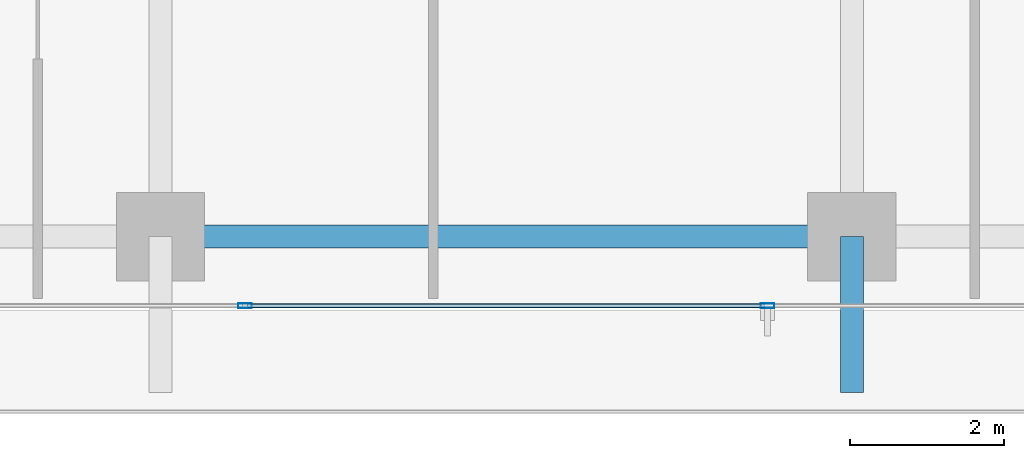
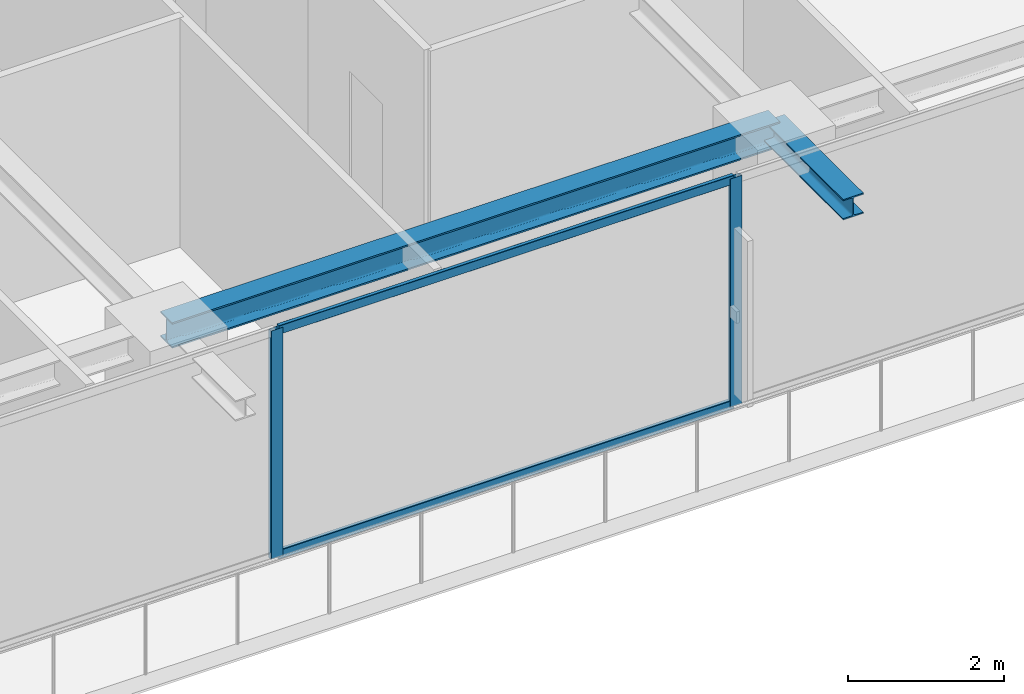
# One storey, part 5 of 38: 4 members, 2 beams, 1 element without a shape of its own.
"""IFC4 building model written with IfcOpenShell, lengths in metres."""

from ifc_helpers import new_model, si_unit, direction, frame, origin, origin_2d, place, context, subcontext, project, spatial, hollow_rectangle, i_section, extrude, source, transform, mapped, material, layer, layer_set, material_profile, profile_set, type_object, element, aggregate, save


model = new_model("IFC4")

# Units and contexts
model_context = context("Model", 3, precision=1e-05, world=origin(), true_north=direction((0.0, 1.0)))
body_context = subcontext(model_context, "Body", "Model", "MODEL_VIEW")
ifc_project = project(units=[si_unit("LENGTHUNIT", "METRE"), si_unit("AREAUNIT", "SQUARE_METRE"), si_unit("VOLUMEUNIT", "CUBIC_METRE"), si_unit("PLANEANGLEUNIT", "RADIAN"), si_unit("MASSUNIT", "GRAM", prefix="KILO")], contexts=[model_context])

# Site, building, storey
site_placement = place(None, origin())
site = spatial("IfcSite", under=ifc_project, at=site_placement, CompositionType="ELEMENT")
building_placement = place(site_placement, origin())
building = spatial("IfcBuilding", under=site, at=building_placement, Name="Serunith Strait Residences", CompositionType="ELEMENT")
storey_placement = place(building_placement, frame((0.0, 0.0, 264.35009765625)))
storey = spatial("IfcBuildingStorey", under=building, at=storey_placement, Name="L66", CompositionType="ELEMENT", Elevation=264.35009765625)

# Beams
ifc_material_1 = material(Name="Steel S355J2", Category="steel")
ifc_material_profile_1 = material_profile(ifc_material_1, i_section(OverallWidth=0.300048828125, OverallDepth=0.39990234375, WebThickness=0.013427734375, FlangeThickness=0.02392578125, FilletRadius=0.027099609375, at=origin_2d()), Name="HEB 400")
ifc_profile_set_1 = profile_set([ifc_material_profile_1], Name="Steel S355J2")
beam_type_1 = type_object("IfcBeamType", Name="BM-HEB400", PredefinedType="BEAM", material=ifc_profile_set_1)
shared_shape_1 = source(origin(), body_context, "Body", "SweptSolid", [
    extrude(i_section(OverallWidth=0.300048828125, OverallDepth=0.39990234375, WebThickness=0.013427734375, FlangeThickness=0.02392578125, FilletRadius=0.027099609375, at=origin_2d()), origin(), (0.0, 0.0, 1.0), 9.0),
])
beam_1_placement = place(storey_placement, frame((27.89990234375, 2.10009765625, 3.386962890625), z_axis=(1.0, 0.0, 0.0), x_axis=(0.0, 1.0, 0.0)))
element("IfcBeam", 1, at=beam_1_placement, inside=storey, type_object=beam_type_1, Name="L66 Perimeter Ring Beam 02", PredefinedType="BEAM", context=body_context, shape_type="MappedRepresentation", body=[
    mapped(shared_shape_1, transform((0.0, 0.0, 0.0), scale=1.0)),
])
ifc_material_profile_2 = material_profile(ifc_material_1, i_section(OverallWidth=0.300048828125, OverallDepth=0.320068359375, WebThickness=0.011474609375, FlangeThickness=0.0205078125, FilletRadius=0.027099609375, at=origin_2d()), Name="HEB 320")
ifc_profile_set_2 = profile_set([ifc_material_profile_2], Name="Steel S355J2")
beam_type_2 = type_object("IfcBeamType", Name="BM-HEB320", PredefinedType="BEAM", material=ifc_profile_set_2)
shared_shape_2 = source(origin(), body_context, "Body", "SweptSolid", [
    extrude(i_section(OverallWidth=0.300048828125, OverallDepth=0.320068359375, WebThickness=0.011474609375, FlangeThickness=0.0205078125, FilletRadius=0.027099609375, at=origin_2d()), origin(), (0.0, 0.0, 1.0), 2.030029296875),
])
beam_2_placement = place(storey_placement, frame((36.89990234375, 2.10009765625, 3.39697265625), z_axis=(0.0, -1.0, 0.0), x_axis=(1.0, 0.0, 0.0)))
element("IfcBeam", 2, at=beam_2_placement, inside=storey, type_object=beam_type_2, Name="L67 Cantilevered Balcony Rib TC-S3", PredefinedType="BEAM", context=body_context, shape_type="MappedRepresentation", body=[
    mapped(shared_shape_2, transform((0.0, 0.0, 0.0), scale=1.0)),
])

# Curtain wall, members
ifc_material_2 = material(Name="Pale-Champagne Anodised Aluminium", Category="aluminium")
ifc_layer = layer(ifc_material_2, 0.199951171875, Name="Pale-Champagne Anodised Aluminium")
ifc_layer_set = layer_set([ifc_layer], Name="Pale-Champagne Anodised Aluminium")
curtain_wall_type = type_object("IfcCurtainWallType", Name="CW-SYS4", PredefinedType="NOTDEFINED", material=ifc_layer_set)
curtain_wall_placement = place(storey_placement, origin())
curtain_wall = element("IfcCurtainWall", 3, at=curtain_wall_placement, inside=storey, type_object=curtain_wall_type, Name="L66 S Unitised Fritted Curtain Wall", PredefinedType="NOTDEFINED")
ifc_material_profile_3 = material_profile(ifc_material_2, hollow_rectangle(XDim=0.06494140625, YDim=0.179931640625, WallThickness=0.00341796875, InnerFilletRadius=0.00537109375, OuterFilletRadius=0.0087890625, at=origin_2d()), Name="ALU 180x65x3.5")
ifc_profile_set_3 = profile_set([ifc_material_profile_3], Name="Pale-Champagne Anodised Aluminium")
member_type_1 = type_object("IfcMemberType", Name="CW-SYS4-MULL", PredefinedType="MULLION", material=ifc_profile_set_3)
shared_shape_3 = source(origin(), body_context, "Body", "SweptSolid", [
    extrude(hollow_rectangle(XDim=0.06494140625, YDim=0.179931640625, WallThickness=0.00341796875, InnerFilletRadius=0.00537109375, OuterFilletRadius=0.0087890625, at=origin_2d()), origin(), (0.0, 0.0, 1.0), 3.574951171875),
])
member_1_placement = place(storey_placement, frame((29.0, 1.199951171875, 0.0), z_axis=(0.0, 0.0, 1.0), x_axis=(0.0, 1.0, 0.0)))
member_1 = element("IfcMember", 4, at=member_1_placement, type_object=member_type_1, Name="CW-4 mullion 3", PredefinedType="MULLION", context=body_context, shape_type="MappedRepresentation", body=[
    mapped(shared_shape_3, transform((0.0, 0.0, 0.0), scale=1.0)),
])
member_2_placement = place(storey_placement, frame((35.800048828125, 1.199951171875, 0.0), z_axis=(0.0, 0.0, 1.0), x_axis=(0.0, 1.0, 0.0)))
member_2 = element("IfcMember", 5, at=member_2_placement, type_object=member_type_1, Name="CW-4 mullion 4", PredefinedType="MULLION", context=body_context, shape_type="MappedRepresentation", body=[
    mapped(shared_shape_3, transform((0.0, 0.0, 0.0), scale=1.0)),
])
ifc_material_profile_4 = material_profile(ifc_material_2, hollow_rectangle(XDim=0.06005859375, YDim=0.139892578125, WallThickness=0.00341796875, InnerFilletRadius=0.00537109375, OuterFilletRadius=0.0087890625, at=origin_2d()), Name="ALU 140x60x3.5")
ifc_profile_set_4 = profile_set([ifc_material_profile_4], Name="Pale-Champagne Anodised Aluminium")
member_type_2 = type_object("IfcMemberType", Name="CW-SYS4-TRAN", PredefinedType="USERDEFINED", material=ifc_profile_set_4)
shared_shape_4 = source(origin(), body_context, "Body", "SweptSolid", [
    extrude(hollow_rectangle(XDim=0.06005859375, YDim=0.139892578125, WallThickness=0.00341796875, InnerFilletRadius=0.00537109375, OuterFilletRadius=0.0087890625, at=origin_2d()), origin(), (0.0, 0.0, 1.0), 6.735107421875),
])
member_3_placement = place(storey_placement, frame((29.032470703125, 1.199951171875, 0.02978515625), z_axis=(1.0, 0.0, 0.0), x_axis=(0.0, 1.0, 0.0)))
member_3 = element("IfcMember", 6, at=member_3_placement, type_object=member_type_2, Name="CW-4 transom 3.1", ObjectType="TRANSOM", PredefinedType="USERDEFINED", context=body_context, shape_type="MappedRepresentation", body=[
    mapped(shared_shape_4, transform((0.0, 0.0, 0.0), scale=1.0)),
])
member_4_placement = place(storey_placement, frame((29.032470703125, 1.199951171875, 3.544921875), z_axis=(1.0, 0.0, 0.0), x_axis=(0.0, 1.0, 0.0)))
member_4 = element("IfcMember", 7, at=member_4_placement, type_object=member_type_2, Name="CW-4 transom 3.2", ObjectType="TRANSOM", PredefinedType="USERDEFINED", context=body_context, shape_type="MappedRepresentation", body=[
    mapped(shared_shape_4, transform((0.0, 0.0, 0.0), scale=1.0)),
])
aggregate(curtain_wall, [member_1, member_2, member_3, member_4])

save(model, "model.ifc")
